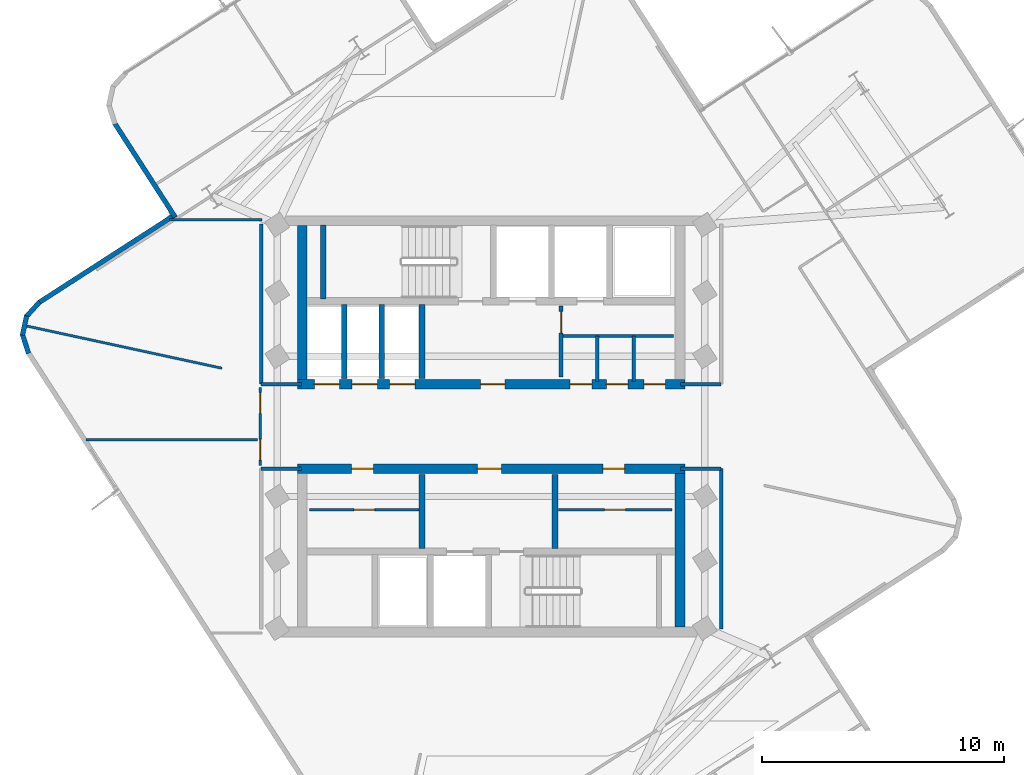
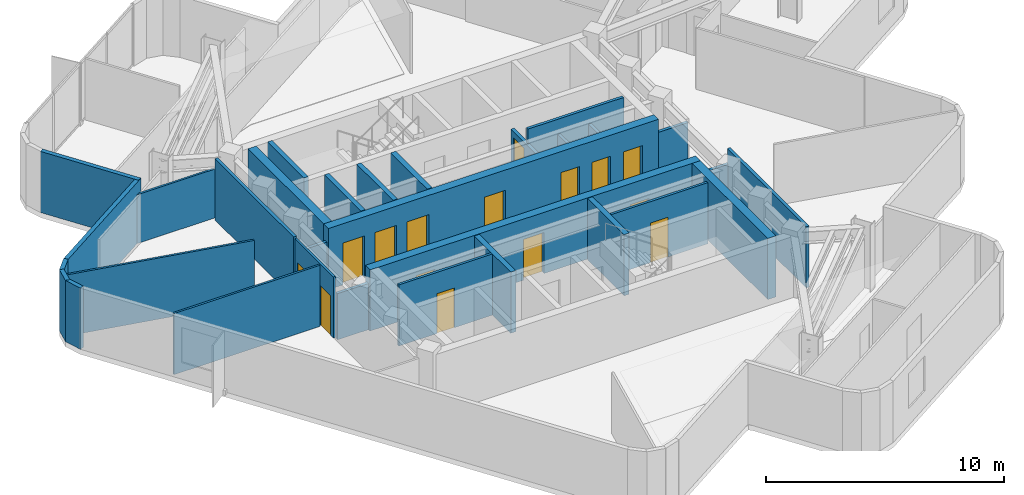
# One storey, part 4 of 8: 31 walls, 15 doors, 15 openings.
"""IFC4 building model written with IfcOpenShell, lengths in metres."""

import ifcopenshell
import ifcopenshell.guid

model = None  # the IFC model being written
_history = None  # IfcOwnerHistory: only IFC2X3 demands one
_inside = {}  # id of a spatial element -> (the spatial element, [elements in it])
_under = {}  # id of a project, library or spatial element -> (it, [spatial elements below it])
_declared = {}  # id of a project -> (the project, [libraries it declares])
_typed = {}  # id of a type object -> (the type object, [elements of that type])
_made_of = {}  # id of a material, layer set ... -> (it, [elements and type objects made of it])


def new_model(schema):
    """Start an empty IFC model of exactly this schema.

    Asked for "IFC4X3", IfcOpenShell would pick the latest addendum, in which some entities
    have other attributes; the version numbers below select the first issue.
    IFC2X3 requires an IfcOwnerHistory on every rooted entity: one is made here for all.
    """
    global model, _history
    if schema == "IFC4X3":
        model = ifcopenshell.file(schema_version=(4, 3, 0, 0))
    else:
        model = ifcopenshell.file(schema=schema)
    _inside.clear()
    _under.clear()
    _declared.clear()
    _typed.clear()
    _made_of.clear()
    _history = None
    if model.schema == "IFC2X3":
        org = make("IfcOrganization", Name="unknown")
        user = make(
            "IfcPersonAndOrganization",
            ThePerson=make("IfcPerson", FamilyName="unknown"),
            TheOrganization=org,
        )
        app = make(
            "IfcApplication",
            ApplicationDeveloper=org,
            Version="unknown",
            ApplicationFullName="unknown",
            ApplicationIdentifier="unknown",
        )
        _history = make(
            "IfcOwnerHistory",
            OwningUser=user,
            OwningApplication=app,
            ChangeAction="ADDED",
            CreationDate=0,
        )
    return model


def make(cls, **values):
    """One entity of the class cls with the attributes given. An attribute that is None is left unset."""
    return model.create_entity(
        cls, **{name: value for name, value in values.items() if value is not None}
    )


def rooted(cls, **values):
    """An entity with a GlobalId (a new one), such as an element, a storey or a relation."""
    return make(cls, GlobalId=ifcopenshell.guid.new(), OwnerHistory=_history, **values)


def si_unit(unit_type, name, prefix=None):
    """IfcSIUnit, for example si_unit("LENGTHUNIT", "METRE", prefix="MILLI")."""
    return make("IfcSIUnit", UnitType=unit_type, Prefix=prefix, Name=name)


def assignment(units):
    """IfcUnitAssignment: the units of a project."""
    return None if units is None else make("IfcUnitAssignment", Units=units)


def point(xyz):
    """IfcCartesianPoint."""
    return None if xyz is None else make("IfcCartesianPoint", Coordinates=xyz)


def direction(xyz):
    """IfcDirection."""
    return None if xyz is None else make("IfcDirection", DirectionRatios=xyz)


def frame(location, z_axis=None, x_axis=None):
    """IfcAxis2Placement3D, a coordinate frame: its origin and axes. An axis left out is left unset."""
    return make(
        "IfcAxis2Placement3D",
        Location=point(location),
        Axis=direction(z_axis),
        RefDirection=direction(x_axis),
    )


def frame_2d(location, x_axis=None):
    """IfcAxis2Placement2D, a coordinate frame in the plane: its origin and x axis."""
    return make(
        "IfcAxis2Placement2D", Location=point(location), RefDirection=direction(x_axis)
    )


def origin():
    """The frame at (0, 0, 0) with its axes left unset."""
    return frame((0.0, 0.0, 0.0))


def place(relative_to, where):
    """IfcLocalPlacement: puts the frame where relative to a parent placement (None: the world)."""
    return make(
        "IfcLocalPlacement", PlacementRelTo=relative_to, RelativePlacement=where
    )


def context(
    kind, dimensions, precision=None, world=None, true_north=None, identifier=None
):
    """IfcGeometricRepresentationContext, for example the 3D "Model" context."""
    return make(
        "IfcGeometricRepresentationContext",
        ContextIdentifier=identifier,
        ContextType=kind,
        CoordinateSpaceDimension=dimensions,
        Precision=precision,
        WorldCoordinateSystem=world,
        TrueNorth=true_north,
    )


def subcontext(parent, identifier, kind, view, scale=None):
    """IfcGeometricRepresentationSubContext, for example "Body" below "Model"."""
    return make(
        "IfcGeometricRepresentationSubContext",
        ContextIdentifier=identifier,
        ContextType=kind,
        ParentContext=parent,
        TargetScale=scale,
        TargetView=view,
    )


def project(units=None, contexts=None):
    """IfcProject with its units and contexts."""
    return rooted(
        "IfcProject",
        Name="project",
        RepresentationContexts=contexts,
        UnitsInContext=assignment(units),
    )


def spatial(cls, under=None, at=None, **own):
    """A site, building, storey or space (cls), placed at a placement, below another one or the project."""
    s = rooted(cls, ObjectPlacement=at, **own)
    if under is not None:
        _under.setdefault(under.id(), (under, []))[1].append(s)
    return s


def profile(cls, at=None, kind="AREA", **sizes):
    """A parametric profile (cls). Its sizes go by their IFC names, for example OverallWidth=200.0."""
    return make(cls, ProfileType=kind, Position=at, **sizes)


def rectangle(**sizes):
    """IfcRectangleProfileDef."""
    return profile("IfcRectangleProfileDef", **sizes)


def extrude(swept, where, along, depth):
    """IfcExtrudedAreaSolid: the profile swept, set in the frame where, extruded along a direction by depth."""
    return make(
        "IfcExtrudedAreaSolid",
        SweptArea=swept,
        Position=where,
        ExtrudedDirection=direction(along),
        Depth=depth,
    )


def shape(context_of_items, identifier, shape_type, items):
    """IfcShapeRepresentation: the items that make up one representation, for example the "Body"."""
    return make(
        "IfcShapeRepresentation",
        ContextOfItems=context_of_items,
        RepresentationIdentifier=identifier,
        RepresentationType=shape_type,
        Items=items,
    )


def material(Name=None, Category=None):
    """IfcMaterial."""
    return make("IfcMaterial", Name=Name, Category=Category)


def layer(
    of_material, thickness, ventilated=None, Name=None, Category=None, Priority=None
):
    """IfcMaterialLayer: one layer of a wall or slab, of a material (None: an air gap)."""
    return make(
        "IfcMaterialLayer",
        Material=of_material,
        LayerThickness=thickness,
        IsVentilated=ventilated,
        Name=Name,
        Category=Category,
        Priority=Priority,
    )


def layer_set(layers, Name=None):
    """IfcMaterialLayerSet."""
    return make("IfcMaterialLayerSet", MaterialLayers=layers, LayerSetName=Name)


def made_of(thing, what):
    """Note that an element or type object is made of a material, layer set ...; save() writes the relation."""
    if what is not None:
        _made_of.setdefault(what.id(), (what, []))[1].append(thing)
    return thing


def type_object(cls, material=None, **own):
    """A type object (cls), such as IfcWallType, which elements share."""
    return made_of(rooted(cls, **own), material)


def element(
    cls,
    number,
    at=None,
    inside=None,
    cuts=None,
    type_object=None,
    material=None,
    context=None,
    identifier="Body",
    shape_type=None,
    held_by="IfcProductDefinitionShape",
    body=None,
    shapes=None,
    **own,
):
    """One element of the class cls, such as IfcWall. Its Tag is "e" and its number.

    at: its placement. inside: the storey or other place that contains it. cuts: it is an
    opening in that element (IfcRelVoidsElement). A single representation is given by context,
    identifier, shape_type and body (its items); several are given by shapes. held_by: the class
    of the entity that holds the representations. save() writes the other relations.
    """
    e = rooted(cls, Tag="e%d" % number, ObjectPlacement=at, **own)
    if body is not None:
        shapes = [shape(context, identifier, shape_type, body)]
    if shapes is not None:
        e.Representation = make(held_by, Representations=shapes)
    if inside is not None:
        _inside.setdefault(inside.id(), (inside, []))[1].append(e)
    if cuts is not None:
        rooted(
            "IfcRelVoidsElement", RelatingBuildingElement=cuts, RelatedOpeningElement=e
        )
    if type_object is not None:
        _typed.setdefault(type_object.id(), (type_object, []))[1].append(e)
    return made_of(e, material)


def fill(opening, filler):
    """IfcRelFillsElement: the door or window that sits in an opening."""
    return rooted(
        "IfcRelFillsElement",
        RelatingOpeningElement=opening,
        RelatedBuildingElement=filler,
    )


def aggregate(whole, parts):
    """IfcRelAggregates: a whole, such as a stair, and the parts it consists of."""
    return rooted("IfcRelAggregates", RelatingObject=whole, RelatedObjects=parts)


def save(model, path):
    """Write the relations noted so far, then the file.

    IfcRelAggregates (storeys below a building ...), IfcRelContainedInSpatialStructure (elements
    in a storey), IfcRelDefinesByType, IfcRelAssociatesMaterial and IfcRelDeclares: one each for
    every whole, place, type object, material and project.
    """
    for whole, parts in _under.values():
        aggregate(whole, parts)
    for where, things in _inside.values():
        rooted(
            "IfcRelContainedInSpatialStructure",
            RelatedElements=things,
            RelatingStructure=where,
        )
    for kind, things in _typed.values():
        rooted("IfcRelDefinesByType", RelatedObjects=things, RelatingType=kind)
    for what, things in _made_of.values():
        rooted("IfcRelAssociatesMaterial", RelatedObjects=things, RelatingMaterial=what)
    for by, libraries in _declared.values():
        rooted("IfcRelDeclares", RelatingContext=by, RelatedDefinitions=libraries)
    model.write(path)


model = new_model("IFC4")

# Units and contexts
model_context = context("Model", 3, precision=1e-05, world=origin(), true_north=direction((0.0, 1.0)))
body_context = subcontext(model_context, "Body", "Model", "MODEL_VIEW")
ifc_project = project(units=[si_unit("LENGTHUNIT", "METRE"), si_unit("AREAUNIT", "SQUARE_METRE"), si_unit("VOLUMEUNIT", "CUBIC_METRE"), si_unit("PLANEANGLEUNIT", "RADIAN"), si_unit("MASSUNIT", "GRAM", prefix="KILO")], contexts=[model_context])

# Site, building, storey
site_placement = place(None, origin())
site = spatial("IfcSite", under=ifc_project, at=site_placement, CompositionType="ELEMENT")
building_placement = place(site_placement, origin())
building = spatial("IfcBuilding", under=site, at=building_placement, Name="Solmarez Civic Tower", CompositionType="ELEMENT")
storey_placement = place(building_placement, frame((0.0, 0.0, 218.8798828125)))
storey = spatial("IfcBuildingStorey", under=building, at=storey_placement, Name="L58", CompositionType="ELEMENT", Elevation=218.8798828125)

# Wall, openings, doors
ifc_material_1 = material(Name="Concrete C50/60", Category="concrete")
ifc_layer_1 = layer(ifc_material_1, 0.39990234375)
ifc_layer_set_1 = layer_set([ifc_layer_1], Name="Concrete C50/60")
wall_type_1 = type_object("IfcWallType", Name="WALL-CORE-400", PredefinedType="SHEAR", material=ifc_layer_set_1)
wall_1_placement = place(storey_placement, frame((8.02001953125, 1.75, 0.0), z_axis=(0.0, 0.0, 1.0), x_axis=(-1.0, 0.0, 0.0)))
wall_1 = element("IfcWall", 1, at=wall_1_placement, inside=storey, type_object=wall_type_1, Name="L58 Split-Core Structural Wall NCW-S-L58", PredefinedType="SHEAR", context=body_context, shape_type="SweptSolid", body=[
    extrude(rectangle(XDim=16.0400390625, YDim=0.39990234375, at=frame_2d((8.02001953125, 0.0))), origin(), (0.0, 0.0, 1.0), 3.14013671875),
])
opening_1_placement = place(wall_1_placement, frame((7.449951171875, 0.0, 0.0)))
opening_1 = element("IfcOpeningElement", 2, at=opening_1_placement, cuts=wall_1, Name="Opening D-04", PredefinedType="OPENING", context=body_context, shape_type="SweptSolid", body=[
    extrude(rectangle(XDim=1.0, YDim=2.10009765625, at=frame_2d((0.5, 1.050048828125))), frame((0.0, 0.2099609375, 0.0), z_axis=(0.0, -1.0, 0.0), x_axis=(1.0, 0.0, 0.0)), (0.0, 0.0, 1.0), 0.419921875),
])
opening_2_placement = place(wall_1_placement, frame((14.284912109375, 0.0, 0.0)))
opening_2 = element("IfcOpeningElement", 3, at=opening_2_placement, cuts=wall_1, Name="Opening LD-01", PredefinedType="OPENING", context=body_context, shape_type="SweptSolid", body=[
    extrude(rectangle(XDim=1.050048828125, YDim=2.14990234375, at=frame_2d((0.52490234375, 1.074951171875))), frame((0.0, 0.2099609375, 0.0), z_axis=(0.0, -1.0, 0.0), x_axis=(1.0, 0.0, 0.0)), (0.0, 0.0, 1.0), 0.419921875),
])
opening_3_placement = place(wall_1_placement, frame((12.72509765625, 0.0, 0.0)))
opening_3 = element("IfcOpeningElement", 4, at=opening_3_placement, cuts=wall_1, Name="Opening LD-01", PredefinedType="OPENING", context=body_context, shape_type="SweptSolid", body=[
    extrude(rectangle(XDim=1.050048828125, YDim=2.14990234375, at=frame_2d((0.52490234375, 1.074951171875))), frame((0.0, 0.2099609375, 0.0), z_axis=(0.0, -1.0, 0.0), x_axis=(1.0, 0.0, 0.0)), (0.0, 0.0, 1.0), 0.419921875),
])
opening_4_placement = place(wall_1_placement, frame((11.1650390625, 0.0, 0.0)))
opening_4 = element("IfcOpeningElement", 5, at=opening_4_placement, cuts=wall_1, Name="Opening LD-01", PredefinedType="OPENING", context=body_context, shape_type="SweptSolid", body=[
    extrude(rectangle(XDim=1.050048828125, YDim=2.14990234375, at=frame_2d((0.52490234375, 1.074951171875))), frame((0.0, 0.2099609375, 0.0), z_axis=(0.0, -1.0, 0.0), x_axis=(1.0, 0.0, 0.0)), (0.0, 0.0, 1.0), 0.419921875),
])
opening_5_placement = place(wall_1_placement, frame((3.85009765625, 0.0, 0.0)))
opening_5 = element("IfcOpeningElement", 6, at=opening_5_placement, cuts=wall_1, Name="Opening D-09", PredefinedType="OPENING", context=body_context, shape_type="SweptSolid", body=[
    extrude(rectangle(XDim=0.89990234375, YDim=2.06005859375, at=frame_2d((0.449951171875, 1.030029296875))), frame((0.0, 0.2099609375, 0.0), z_axis=(0.0, -1.0, 0.0), x_axis=(1.0, 0.0, 0.0)), (0.0, 0.0, 1.0), 0.419921875),
])
opening_6_placement = place(wall_1_placement, frame((2.35009765625, 0.0, 0.0)))
opening_6 = element("IfcOpeningElement", 7, at=opening_6_placement, cuts=wall_1, Name="Opening D-09", PredefinedType="OPENING", context=body_context, shape_type="SweptSolid", body=[
    extrude(rectangle(XDim=0.89990234375, YDim=2.06005859375, at=frame_2d((0.449951171875, 1.030029296875))), frame((0.0, 0.2099609375, 0.0), z_axis=(0.0, -1.0, 0.0), x_axis=(1.0, 0.0, 0.0)), (0.0, 0.0, 1.0), 0.419921875),
])
opening_7_placement = place(wall_1_placement, frame((0.800048828125, 0.0, 0.0)))
opening_7 = element("IfcOpeningElement", 8, at=opening_7_placement, cuts=wall_1, Name="Opening D-09", PredefinedType="OPENING", context=body_context, shape_type="SweptSolid", body=[
    extrude(rectangle(XDim=0.89990234375, YDim=2.06005859375, at=frame_2d((0.449951171875, 1.030029296875))), frame((0.0, 0.2099609375, 0.0), z_axis=(0.0, -1.0, 0.0), x_axis=(1.0, 0.0, 0.0)), (0.0, 0.0, 1.0), 0.419921875),
])
ifc_material_2 = material(Name="Steel-Faced Acoustic Fire Door", Category="steel")
door_type_1 = type_object("IfcDoorType", Name="DOOR-FD60-1000", OperationType="NOTDEFINED", PredefinedType="DOOR", material=ifc_material_2)
door_1_placement = place(opening_1_placement, origin())
door_1 = element("IfcDoor", 9, at=door_1_placement, inside=storey, type_object=door_type_1, Name="L58 North Firefighting Lobby Door", OperationType="SINGLE_SWING_LEFT", OverallHeight=2.10009765625, OverallWidth=1.0, PredefinedType="DOOR", context=body_context, shape_type="SweptSolid", body=[
    extrude(rectangle(XDim=1.0, YDim=2.10009765625, at=frame_2d((0.5, 1.050048828125))), frame((0.0, 0.02490234375, 0.0), z_axis=(0.0, -1.0, 0.0), x_axis=(1.0, 0.0, 0.0)), (0.0, 0.0, 1.0), 0.050048828125),
])
fill(opening_1, door_1)
ifc_material_3 = material(Name="Fire-Rated Service Core Door", Category="wood")
door_type_2 = type_object("IfcDoorType", Name="DOOR-FD60-900", OperationType="NOTDEFINED", PredefinedType="DOOR", material=ifc_material_3)
door_2_placement = place(opening_5_placement, origin())
door_2 = element("IfcDoor", 10, at=door_2_placement, inside=storey, type_object=door_type_2, Name="L58 Core WC Door", OperationType="SINGLE_SWING_RIGHT", OverallHeight=2.06005859375, OverallWidth=0.89990234375, PredefinedType="DOOR", context=body_context, shape_type="SweptSolid", body=[
    extrude(rectangle(XDim=0.89990234375, YDim=2.06005859375, at=frame_2d((0.449951171875, 1.030029296875))), frame((0.0, 0.02490234375, 0.0), z_axis=(0.0, -1.0, 0.0), x_axis=(1.0, 0.0, 0.0)), (0.0, 0.0, 1.0), 0.050048828125),
])
fill(opening_5, door_2)
door_3_placement = place(opening_6_placement, origin())
door_3 = element("IfcDoor", 11, at=door_3_placement, inside=storey, type_object=door_type_2, Name="L58 Core CL Door", OperationType="SINGLE_SWING_LEFT", OverallHeight=2.06005859375, OverallWidth=0.89990234375, PredefinedType="DOOR", context=body_context, shape_type="SweptSolid", body=[
    extrude(rectangle(XDim=0.89990234375, YDim=2.06005859375, at=frame_2d((0.449951171875, 1.030029296875))), frame((0.0, 0.02490234375, 0.0), z_axis=(0.0, -1.0, 0.0), x_axis=(1.0, 0.0, 0.0)), (0.0, 0.0, 1.0), 0.050048828125),
])
fill(opening_6, door_3)
door_4_placement = place(opening_7_placement, origin())
door_4 = element("IfcDoor", 12, at=door_4_placement, inside=storey, type_object=door_type_2, Name="L58 Core IT Door", OperationType="SINGLE_SWING_LEFT", OverallHeight=2.06005859375, OverallWidth=0.89990234375, PredefinedType="DOOR", context=body_context, shape_type="SweptSolid", body=[
    extrude(rectangle(XDim=0.89990234375, YDim=2.06005859375, at=frame_2d((0.449951171875, 1.030029296875))), frame((0.0, 0.02490234375, 0.0), z_axis=(0.0, -1.0, 0.0), x_axis=(1.0, 0.0, 0.0)), (0.0, 0.0, 1.0), 0.050048828125),
])
fill(opening_7, door_4)
ifc_material_4 = material(Name="Bronze Passenger Lift Landing Sliding Door", Category="aluminium")
door_type_3 = type_object("IfcDoorType", Name="DOOR-LD-PAX-1050", OperationType="DOUBLE_DOOR_SLIDING", PredefinedType="DOOR", material=ifc_material_4)
door_5_placement = place(opening_2_placement, origin())
door_5 = element("IfcDoor", 13, at=door_5_placement, inside=storey, type_object=door_type_3, Name="L58 High-Rise Lift Landing Door PL-H1", OperationType="DOUBLE_DOOR_SLIDING", OverallHeight=2.14990234375, OverallWidth=1.050048828125, PredefinedType="DOOR", context=body_context, shape_type="SweptSolid", body=[
    extrude(rectangle(XDim=1.050048828125, YDim=2.14990234375, at=frame_2d((0.52490234375, 1.074951171875))), frame((0.0, 0.02490234375, 0.0), z_axis=(0.0, -1.0, 0.0), x_axis=(1.0, 0.0, 0.0)), (0.0, 0.0, 1.0), 0.050048828125),
])
fill(opening_2, door_5)
door_6_placement = place(opening_3_placement, origin())
door_6 = element("IfcDoor", 14, at=door_6_placement, inside=storey, type_object=door_type_3, Name="L58 High-Rise Lift Landing Door PL-H2", OperationType="DOUBLE_DOOR_SLIDING", OverallHeight=2.14990234375, OverallWidth=1.050048828125, PredefinedType="DOOR", context=body_context, shape_type="SweptSolid", body=[
    extrude(rectangle(XDim=1.050048828125, YDim=2.14990234375, at=frame_2d((0.52490234375, 1.074951171875))), frame((0.0, 0.02490234375, 0.0), z_axis=(0.0, -1.0, 0.0), x_axis=(1.0, 0.0, 0.0)), (0.0, 0.0, 1.0), 0.050048828125),
])
fill(opening_3, door_6)
door_7_placement = place(opening_4_placement, origin())
door_7 = element("IfcDoor", 15, at=door_7_placement, inside=storey, type_object=door_type_3, Name="L58 High-Rise Lift Landing Door PL-H3", OperationType="DOUBLE_DOOR_SLIDING", OverallHeight=2.14990234375, OverallWidth=1.050048828125, PredefinedType="DOOR", context=body_context, shape_type="SweptSolid", body=[
    extrude(rectangle(XDim=1.050048828125, YDim=2.14990234375, at=frame_2d((0.52490234375, 1.074951171875))), frame((0.0, 0.02490234375, 0.0), z_axis=(0.0, -1.0, 0.0), x_axis=(1.0, 0.0, 0.0)), (0.0, 0.0, 1.0), 0.050048828125),
])
fill(opening_4, door_7)

# Wall
wall_2_placement = place(storey_placement, frame((-7.820068359375, 1.949951171875, 0.0), z_axis=(0.0, 0.0, 1.0), x_axis=(0.0, 1.0, 0.0)))
element("IfcWall", 16, at=wall_2_placement, inside=storey, type_object=wall_type_1, Name="L58 Split-Core Structural Wall NCW-W-L58", PredefinedType="SHEAR", context=body_context, shape_type="SweptSolid", body=[
    extrude(rectangle(XDim=6.360107421875, YDim=0.39990234375, at=frame_2d((3.18017578125, 0.0))), origin(), (0.0, 0.0, 1.0), 3.14013671875),
])

# Wall, openings, doors
wall_3_placement = place(storey_placement, frame((-8.02001953125, -1.75, 0.0), z_axis=(0.0, 0.0, 1.0), x_axis=(1.0, 0.0, 0.0)))
wall_3 = element("IfcWall", 17, at=wall_3_placement, inside=storey, type_object=wall_type_1, Name="L58 Split-Core Structural Wall SCW-N-L58", PredefinedType="SHEAR", context=body_context, shape_type="SweptSolid", body=[
    extrude(rectangle(XDim=16.0400390625, YDim=0.39990234375, at=frame_2d((8.02001953125, 0.0))), origin(), (0.0, 0.0, 1.0), 3.14013671875),
])
opening_8_placement = place(wall_3_placement, frame((7.449951171875, 0.0, 0.0)))
opening_8 = element("IfcOpeningElement", 18, at=opening_8_placement, cuts=wall_3, Name="Opening D-04", PredefinedType="OPENING", context=body_context, shape_type="SweptSolid", body=[
    extrude(rectangle(XDim=1.0, YDim=2.10009765625, at=frame_2d((0.5, 1.050048828125))), frame((0.0, 0.2099609375, 0.0), z_axis=(0.0, -1.0, 0.0), x_axis=(1.0, 0.0, 0.0)), (0.0, 0.0, 1.0), 0.419921875),
])
opening_9_placement = place(wall_3_placement, frame((12.64990234375, 0.0, 0.0)))
opening_9 = element("IfcOpeningElement", 19, at=opening_9_placement, cuts=wall_3, Name="Opening D-09", PredefinedType="OPENING", context=body_context, shape_type="SweptSolid", body=[
    extrude(rectangle(XDim=0.89990234375, YDim=2.06005859375, at=frame_2d((0.449951171875, 1.030029296875))), frame((0.0, 0.2099609375, 0.0), z_axis=(0.0, -1.0, 0.0), x_axis=(1.0, 0.0, 0.0)), (0.0, 0.0, 1.0), 0.419921875),
])
opening_10_placement = place(wall_3_placement, frame((2.25, 0.0, 0.0)))
opening_10 = element("IfcOpeningElement", 20, at=opening_10_placement, cuts=wall_3, Name="Opening D-09", PredefinedType="OPENING", context=body_context, shape_type="SweptSolid", body=[
    extrude(rectangle(XDim=0.89990234375, YDim=2.06005859375, at=frame_2d((0.449951171875, 1.030029296875))), frame((0.0, 0.2099609375, 0.0), z_axis=(0.0, -1.0, 0.0), x_axis=(1.0, 0.0, 0.0)), (0.0, 0.0, 1.0), 0.419921875),
])
door_8_placement = place(opening_8_placement, origin())
door_8 = element("IfcDoor", 21, at=door_8_placement, inside=storey, type_object=door_type_1, Name="L58 South Firefighting Lobby Door", OperationType="SINGLE_SWING_RIGHT", OverallHeight=2.10009765625, OverallWidth=1.0, PredefinedType="DOOR", context=body_context, shape_type="SweptSolid", body=[
    extrude(rectangle(XDim=1.0, YDim=2.10009765625, at=frame_2d((0.5, 1.050048828125))), frame((0.0, 0.02490234375, 0.0), z_axis=(0.0, -1.0, 0.0), x_axis=(1.0, 0.0, 0.0)), (0.0, 0.0, 1.0), 0.050048828125),
])
fill(opening_8, door_8)
door_9_placement = place(opening_9_placement, origin())
door_9 = element("IfcDoor", 22, at=door_9_placement, inside=storey, type_object=door_type_2, Name="L58 Freed Hoistway Mailroom Door", OperationType="SINGLE_SWING_LEFT", OverallHeight=2.06005859375, OverallWidth=0.89990234375, PredefinedType="DOOR", context=body_context, shape_type="SweptSolid", body=[
    extrude(rectangle(XDim=0.89990234375, YDim=2.06005859375, at=frame_2d((0.449951171875, 1.030029296875))), frame((0.0, 0.02490234375, 0.0), z_axis=(0.0, -1.0, 0.0), x_axis=(1.0, 0.0, 0.0)), (0.0, 0.0, 1.0), 0.050048828125),
])
fill(opening_9, door_9)
door_10_placement = place(opening_10_placement, origin())
door_10 = element("IfcDoor", 23, at=door_10_placement, inside=storey, type_object=door_type_2, Name="L58 Staff Kitchenette Pantry Door", OperationType="SINGLE_SWING_RIGHT", OverallHeight=2.06005859375, OverallWidth=0.89990234375, PredefinedType="DOOR", context=body_context, shape_type="SweptSolid", body=[
    extrude(rectangle(XDim=0.89990234375, YDim=2.06005859375, at=frame_2d((0.449951171875, 1.030029296875))), frame((0.0, 0.02490234375, 0.0), z_axis=(0.0, -1.0, 0.0), x_axis=(1.0, 0.0, 0.0)), (0.0, 0.0, 1.0), 0.050048828125),
])
fill(opening_10, door_10)

# Walls
wall_4_placement = place(storey_placement, frame((7.820068359375, -1.949951171875, 0.0), z_axis=(0.0, 0.0, 1.0), x_axis=(0.0, -1.0, 0.0)))
element("IfcWall", 24, at=wall_4_placement, inside=storey, type_object=wall_type_1, Name="L58 Split-Core Structural Wall SCW-E-L58", PredefinedType="SHEAR", context=body_context, shape_type="SweptSolid", body=[
    extrude(rectangle(XDim=6.360107421875, YDim=0.39990234375, at=frame_2d((3.18017578125, 0.0))), origin(), (0.0, 0.0, 1.0), 3.14013671875),
])
ifc_material_5 = material(Name="Precast concrete C40/50", Category="concrete")
ifc_layer_2 = layer(ifc_material_5, 0.199951171875)
ifc_layer_set_2 = layer_set([ifc_layer_2], Name="Precast concrete C40/50")
wall_type_2 = type_object("IfcWallType", Name="WALL-EXT-200", PredefinedType="SOLIDWALL", material=ifc_layer_set_2)
wall_5_placement = place(storey_placement, frame((-19.14599609375, 3.02294921875, 0.0), z_axis=(0.0, 0.0, 1.0), x_axis=(-0.306602907463, 0.951837516142, 0.0)))
element("IfcWall", 25, at=wall_5_placement, inside=storey, type_object=wall_type_2, Name="L58 Exterior Precast Wall 7", PredefinedType="SOLIDWALL", context=body_context, shape_type="SweptSolid", body=[
    extrude(rectangle(XDim=0.83837890625, YDim=0.199951171875, at=frame_2d((0.419189453125, 0.0))), origin(), (0.0, 0.0, 1.0), 3.14013671875),
])
wall_6_placement = place(storey_placement, frame((-19.39990234375, 3.77294921875, 0.0), z_axis=(0.0, 0.0, 1.0), x_axis=(0.211087829535, 0.977467098281, 0.0)))
element("IfcWall", 26, at=wall_6_placement, inside=storey, type_object=wall_type_2, Name="L58 Exterior Precast Wall 8", PredefinedType="SOLIDWALL", context=body_context, shape_type="SweptSolid", body=[
    extrude(rectangle(XDim=0.823486328125, YDim=0.199951171875, at=frame_2d((0.41162109375, 0.0))), origin(), (0.0, 0.0, 1.0), 3.14013671875),
])
wall_7_placement = place(storey_placement, frame((-19.248046875, 4.534912109375, 0.0), z_axis=(0.0, 0.0, 1.0), x_axis=(0.671019988703, 0.741439258983, 0.0)))
element("IfcWall", 27, at=wall_7_placement, inside=storey, type_object=wall_type_2, Name="L58 Exterior Precast Wall 9", PredefinedType="SOLIDWALL", context=body_context, shape_type="SweptSolid", body=[
    extrude(rectangle(XDim=0.839111328125, YDim=0.199951171875, at=frame_2d((0.41943359375, 0.0))), origin(), (0.0, 0.0, 1.0), 3.14013671875),
])
wall_8_placement = place(storey_placement, frame((-18.722900390625, 5.1240234375, 0.0), z_axis=(0.0, 0.0, 1.0), x_axis=(0.840584959151, 0.541679726821, 0.0)))
element("IfcWall", 28, at=wall_8_placement, inside=storey, type_object=wall_type_2, Name="L58 Exterior Precast Wall 10", PredefinedType="SOLIDWALL", context=body_context, shape_type="SweptSolid", body=[
    extrude(rectangle(XDim=6.74169921875, YDim=0.199951171875, at=frame_2d((3.370849609375, 0.0))), origin(), (0.0, 0.0, 1.0), 3.14013671875),
])
wall_9_placement = place(storey_placement, frame((-13.080078125, 8.666015625, 0.0), z_axis=(0.0, 0.0, 1.0), x_axis=(-0.541732711374, 0.840550813114, 0.0)))
element("IfcWall", 29, at=wall_9_placement, inside=storey, type_object=wall_type_2, Name="L58 Exterior Precast Wall 13", PredefinedType="SOLIDWALL", context=body_context, shape_type="SweptSolid", body=[
    extrude(rectangle(XDim=4.642333984375, YDim=0.199951171875, at=frame_2d((2.3212890625, 0.0))), origin(), (0.0, 0.0, 1.0), 3.14013671875),
])
ifc_material_6 = material(Name="Gypsum Board Acoustic Steel-Stud Partition", Category="steel")
ifc_layer_3 = layer(ifc_material_6, 0.14990234375)
ifc_layer_set_3 = layer_set([ifc_layer_3], Name="Gypsum Board Acoustic Steel-Stud Partition")
wall_type_3 = type_object("IfcWallType", Name="WALL-INT-FIRE-150", PredefinedType="PARTITIONING", material=ifc_layer_set_3)
wall_10_placement = place(storey_placement, frame((-9.52001953125, 1.75, 0.0), z_axis=(0.0, 0.0, 1.0), x_axis=(0.0, 1.0, 0.0)))
element("IfcWall", 30, at=wall_10_placement, inside=storey, type_object=wall_type_3, Name="L58 Interior Partition CHW-L58-WN1", PredefinedType="PARTITIONING", context=body_context, shape_type="SweptSolid", body=[
    extrude(rectangle(XDim=6.6298828125, YDim=0.14990234375, at=frame_2d((3.31494140625, 0.0))), origin(), (0.0, 0.0, 1.0), 3.14013671875),
])
for number, where, z_axis, x_axis, name in (
    (31, (-7.85009765625, 1.75, 0.0), (0.0, 0.0, 1.0), (-1.0, 0.0, 0.0), "L58 Interior Partition CHW-L58-WN3"),
    (32, (-7.85009765625, -1.75, 0.0), (0.0, 0.0, 1.0), (-1.0, 0.0, 0.0), "L58 Interior Partition CHW-L58-WS3"),
    (33, (7.85009765625, 1.75, 0.0), (0.0, 0.0, 1.0), (1.0, 0.0, 0.0), "L58 Interior Partition CHW-L58-EN3"),
):
    element("IfcWall", number, at=place(storey_placement, frame(where, z_axis=z_axis, x_axis=x_axis)), inside=storey, type_object=wall_type_3, Name=name, PredefinedType="PARTITIONING", context=body_context, shape_type="SweptSolid", body=[
        extrude(rectangle(XDim=1.669921875, YDim=0.14990234375, at=frame_2d((0.8349609375, 0.0))), origin(), (0.0, 0.0, 1.0), 2.3701171875),
    ])
wall_11_placement = place(storey_placement, frame((9.52001953125, -8.3798828125, 0.0), z_axis=(0.0, 0.0, 1.0), x_axis=(0.0, 1.0, 0.0)))
element("IfcWall", 34, at=wall_11_placement, inside=storey, type_object=wall_type_3, Name="L58 Interior Partition CHW-L58-ES1", PredefinedType="PARTITIONING", context=body_context, shape_type="SweptSolid", body=[
    extrude(rectangle(XDim=6.6298828125, YDim=0.14990234375, at=frame_2d((3.31494140625, 0.0))), origin(), (0.0, 0.0, 1.0), 3.14013671875),
])
wall_12_placement = place(storey_placement, frame((7.85009765625, -1.75, 0.0), z_axis=(0.0, 0.0, 1.0), x_axis=(1.0, 0.0, 0.0)))
element("IfcWall", 35, at=wall_12_placement, inside=storey, type_object=wall_type_3, Name="L58 Interior Partition CHW-L58-ES3", PredefinedType="PARTITIONING", context=body_context, shape_type="SweptSolid", body=[
    extrude(rectangle(XDim=1.669921875, YDim=0.14990234375, at=frame_2d((0.8349609375, 0.0))), origin(), (0.0, 0.0, 1.0), 2.3701171875),
])
ifc_layer_4 = layer(ifc_material_6, 0.10009765625)
ifc_layer_set_4 = layer_set([ifc_layer_4], Name="Gypsum Board Acoustic Steel-Stud Partition")
wall_type_4 = type_object("IfcWallType", Name="WALL-INT-PART-100", PredefinedType="PARTITIONING", material=ifc_layer_set_4)
wall_13_placement = place(storey_placement, frame((-16.759033203125, -0.550048828125, 0.0), z_axis=(0.0, 0.0, 1.0), x_axis=(1.0, 0.0, 0.0)))
element("IfcWall", 36, at=wall_13_placement, inside=storey, type_object=wall_type_4, Name="L58 Interior Partition PT-L58-WH-DIV", PredefinedType="PARTITIONING", context=body_context, shape_type="SweptSolid", body=[
    extrude(rectangle(XDim=7.09912109375, YDim=0.10009765625, at=frame_2d((3.549560546875, 0.0))), origin(), (0.0, 0.0, 1.0), 3.14013671875),
])
wall_14_placement = place(storey_placement, frame((-13.305908203125, 8.550048828125, 0.0), z_axis=(0.0, 0.0, 1.0), x_axis=(1.0, 0.0, 0.0)))
element("IfcWall", 37, at=wall_14_placement, inside=storey, type_object=wall_type_4, Name="L58 Interior Partition PT-L58-WH-BN", PredefinedType="PARTITIONING", context=body_context, shape_type="SweptSolid", body=[
    extrude(rectangle(XDim=3.825927734375, YDim=0.10009765625, at=frame_2d((1.9130859375, 0.0))), origin(), (0.0, 0.0, 1.0), 2.510009765625),
])

# Wall, openings, doors
wall_15_placement = place(storey_placement, frame((-9.56005859375, -1.6201171875, 0.0), z_axis=(0.0, 0.0, 1.0), x_axis=(0.0, 1.0, 0.0)))
wall_15 = element("IfcWall", 38, at=wall_15_placement, inside=storey, type_object=wall_type_4, Name="L58 Interior Partition PT-L58-WH-ENT", PredefinedType="PARTITIONING", context=body_context, shape_type="SweptSolid", body=[
    extrude(rectangle(XDim=3.240234375, YDim=0.10009765625, at=frame_2d((1.6201171875, 0.0))), origin(), (0.0, 0.0, 1.0), 3.14013671875),
])
opening_11_placement = place(wall_15_placement, frame((0.219970703125, 0.0, 0.0)))
opening_11 = element("IfcOpeningElement", 39, at=opening_11_placement, cuts=wall_15, Name="Opening D-14", PredefinedType="OPENING", context=body_context, shape_type="SweptSolid", body=[
    extrude(rectangle(XDim=0.860107421875, YDim=2.0400390625, at=frame_2d((0.43017578125, 1.02001953125))), frame((0.0, 0.06005859375, 0.0), z_axis=(0.0, -1.0, 0.0), x_axis=(1.0, 0.0, 0.0)), (0.0, 0.0, 1.0), 0.1201171875),
])
opening_12_placement = place(wall_15_placement, frame((2.159912109375, 0.0, 0.0)))
opening_12 = element("IfcOpeningElement", 40, at=opening_12_placement, cuts=wall_15, Name="Opening D-14", PredefinedType="OPENING", context=body_context, shape_type="SweptSolid", body=[
    extrude(rectangle(XDim=0.860107421875, YDim=2.0400390625, at=frame_2d((0.43017578125, 1.02001953125))), frame((0.0, 0.06005859375, 0.0), z_axis=(0.0, -1.0, 0.0), x_axis=(1.0, 0.0, 0.0)), (0.0, 0.0, 1.0), 0.1201171875),
])
ifc_material_7 = material(Name="Timber Storage and Pantry Door", Category="wood")
door_type_4 = type_object("IfcDoorType", Name="DOOR-INT-850", OperationType="NOTDEFINED", PredefinedType="DOOR", material=ifc_material_7)
door_11_placement = place(opening_11_placement, origin())
door_11 = element("IfcDoor", 41, at=door_11_placement, inside=storey, type_object=door_type_4, Name="L58 Public Reception Room West Second Door", OperationType="SINGLE_SWING_RIGHT", OverallHeight=2.0400390625, OverallWidth=0.860107421875, PredefinedType="DOOR", context=body_context, shape_type="SweptSolid", body=[
    extrude(rectangle(XDim=0.860107421875, YDim=2.0400390625, at=frame_2d((0.43017578125, 1.02001953125))), frame((0.0, 0.02490234375, 0.0), z_axis=(0.0, -1.0, 0.0), x_axis=(1.0, 0.0, 0.0)), (0.0, 0.0, 1.0), 0.050048828125),
])
fill(opening_11, door_11)
door_12_placement = place(opening_12_placement, origin())
door_12 = element("IfcDoor", 42, at=door_12_placement, inside=storey, type_object=door_type_4, Name="L58 Delegates Sitting Lounge West First Door", OperationType="SINGLE_SWING_LEFT", OverallHeight=2.0400390625, OverallWidth=0.860107421875, PredefinedType="DOOR", context=body_context, shape_type="SweptSolid", body=[
    extrude(rectangle(XDim=0.860107421875, YDim=2.0400390625, at=frame_2d((0.43017578125, 1.02001953125))), frame((0.0, 0.02490234375, 0.0), z_axis=(0.0, -1.0, 0.0), x_axis=(1.0, 0.0, 0.0)), (0.0, 0.0, 1.0), 0.050048828125),
])
fill(opening_12, door_12)

# Wall
wall_16_placement = place(storey_placement, frame((-11.14306640625, 2.408935546875, 0.0), z_axis=(0.0, 0.0, 1.0), x_axis=(-0.977406112831, 0.211370032411, 0.0)))
element("IfcWall", 43, at=wall_16_placement, inside=storey, type_object=wall_type_4, Name="L58 Interior Partition PT-L58-QDIV-2", PredefinedType="PARTITIONING", context=body_context, shape_type="SweptSolid", body=[
    extrude(rectangle(XDim=8.29443359375, YDim=0.10009765625, at=frame_2d((4.147216796875, 0.0))), origin(), (0.0, 0.0, 1.0), 3.14013671875),
])

# Wall, opening, door
ifc_layer_5 = layer(ifc_material_6, 0.1201171875)
ifc_layer_set_5 = layer_set([ifc_layer_5], Name="Gypsum Board Acoustic Steel-Stud Partition")
wall_type_5 = type_object("IfcWallType", Name="WALL-INT-PART-120", PredefinedType="PARTITIONING", material=ifc_layer_set_5)
wall_17_placement = place(storey_placement, frame((2.800048828125, -3.449951171875, 0.0), z_axis=(0.0, 0.0, 1.0), x_axis=(1.0, 0.0, 0.0)))
wall_17 = element("IfcWall", 44, at=wall_17_placement, inside=storey, type_object=wall_type_5, Name="L58 Interior Partition PT-FPLL-L58", PredefinedType="PARTITIONING", context=body_context, shape_type="SweptSolid", body=[
    extrude(rectangle(XDim=4.679931640625, YDim=0.1201171875, at=frame_2d((2.33984375, 0.0))), origin(), (0.0, 0.0, 1.0), 3.14013671875),
])
opening_13_placement = place(wall_17_placement, frame((1.89990234375, 0.0, 0.0)))
opening_13 = element("IfcOpeningElement", 45, at=opening_13_placement, cuts=wall_17, Name="Opening D-14", PredefinedType="OPENING", context=body_context, shape_type="SweptSolid", body=[
    extrude(rectangle(XDim=0.860107421875, YDim=2.0400390625, at=frame_2d((0.43017578125, 1.02001953125))), frame((0.0, 0.070068359375, 0.0), z_axis=(0.0, -1.0, 0.0), x_axis=(1.0, 0.0, 0.0)), (0.0, 0.0, 1.0), 0.14013671875),
])
door_13_placement = place(opening_13_placement, origin())
door_13 = element("IfcDoor", 46, at=door_13_placement, inside=storey, type_object=door_type_4, Name="L58 Records Filing Room Door", OperationType="SINGLE_SWING_LEFT", OverallHeight=2.0400390625, OverallWidth=0.860107421875, PredefinedType="DOOR", context=body_context, shape_type="SweptSolid", body=[
    extrude(rectangle(XDim=0.860107421875, YDim=2.0400390625, at=frame_2d((0.43017578125, 1.02001953125))), frame((0.0, 0.02490234375, 0.0), z_axis=(0.0, -1.0, 0.0), x_axis=(1.0, 0.0, 0.0)), (0.0, 0.0, 1.0), 0.050048828125),
])
fill(opening_13, door_13)

wall_18_placement = place(storey_placement, frame((-7.52001953125, -3.449951171875, 0.0), z_axis=(0.0, 0.0, 1.0), x_axis=(1.0, 0.0, 0.0)))
wall_18 = element("IfcWall", 47, at=wall_18_placement, inside=storey, type_object=wall_type_5, Name="L58 Interior Partition PT-FPLM-L58", PredefinedType="PARTITIONING", context=body_context, shape_type="SweptSolid", body=[
    extrude(rectangle(XDim=4.5400390625, YDim=0.1201171875, at=frame_2d((2.27001953125, 0.0))), origin(), (0.0, 0.0, 1.0), 3.14013671875),
])
opening_14_placement = place(wall_18_placement, frame((1.840087890625, 0.0, 0.0)))
opening_14 = element("IfcOpeningElement", 48, at=opening_14_placement, cuts=wall_18, Name="Opening D-14", PredefinedType="OPENING", context=body_context, shape_type="SweptSolid", body=[
    extrude(rectangle(XDim=0.860107421875, YDim=2.0400390625, at=frame_2d((0.43017578125, 1.02001953125))), frame((0.0, 0.070068359375, 0.0), z_axis=(0.0, -1.0, 0.0), x_axis=(1.0, 0.0, 0.0)), (0.0, 0.0, 1.0), 0.14013671875),
])
door_14_placement = place(opening_14_placement, origin())
door_14 = element("IfcDoor", 49, at=door_14_placement, inside=storey, type_object=door_type_4, Name="L58 Directorate Copy Office Door", OperationType="SINGLE_SWING_RIGHT", OverallHeight=2.0400390625, OverallWidth=0.860107421875, PredefinedType="DOOR", context=body_context, shape_type="SweptSolid", body=[
    extrude(rectangle(XDim=0.860107421875, YDim=2.0400390625, at=frame_2d((0.43017578125, 1.02001953125))), frame((0.0, 0.02490234375, 0.0), z_axis=(0.0, -1.0, 0.0), x_axis=(1.0, 0.0, 0.0)), (0.0, 0.0, 1.0), 0.050048828125),
])
fill(opening_14, door_14)

ifc_layer_6 = layer(ifc_material_6, 0.159912109375)
ifc_layer_set_6 = layer_set([ifc_layer_6], Name="Gypsum Board Acoustic Steel-Stud Partition")
wall_type_6 = type_object("IfcWallType", Name="WALL-INT-SHAFT-160", PredefinedType="PARTITIONING", material=ifc_layer_set_6)
wall_19_placement = place(storey_placement, frame((2.89990234375, 2.0400390625, 0.0), z_axis=(0.0, 0.0, 1.0), x_axis=(0.0, 1.0, 0.0)))
wall_19 = element("IfcWall", 50, at=wall_19_placement, inside=storey, type_object=wall_type_6, Name="L58 Interior Partition SHW-NL2-L58", PredefinedType="PARTITIONING", context=body_context, shape_type="SweptSolid", body=[
    extrude(rectangle(XDim=2.93994140625, YDim=0.159912109375, at=frame_2d((1.469970703125, 0.0))), origin(), (0.0, 0.0, 1.0), 2.3701171875),
])
opening_15_placement = place(wall_19_placement, frame((1.820068359375, 0.0, 0.0)))
opening_15 = element("IfcOpeningElement", 51, at=opening_15_placement, cuts=wall_19, Name="Opening D-09", PredefinedType="OPENING", context=body_context, shape_type="SweptSolid", body=[
    extrude(rectangle(XDim=0.89990234375, YDim=2.06005859375, at=frame_2d((0.449951171875, 1.030029296875))), frame((0.0, 0.08984375, 0.0), z_axis=(0.0, -1.0, 0.0), x_axis=(1.0, 0.0, 0.0)), (0.0, 0.0, 1.0), 0.179931640625),
])
door_15_placement = place(opening_15_placement, origin())
door_15 = element("IfcDoor", 52, at=door_15_placement, inside=storey, type_object=door_type_2, Name="L58 Service Lift Lobby Door", OperationType="SINGLE_SWING_LEFT", OverallHeight=2.06005859375, OverallWidth=0.89990234375, PredefinedType="DOOR", context=body_context, shape_type="SweptSolid", body=[
    extrude(rectangle(XDim=0.89990234375, YDim=2.06005859375, at=frame_2d((0.449951171875, 1.030029296875))), frame((0.0, 0.02490234375, 0.0), z_axis=(0.0, -1.0, 0.0), x_axis=(1.0, 0.0, 0.0)), (0.0, 0.0, 1.0), 0.050048828125),
])
fill(opening_15, door_15)

# Walls
ifc_layer_7 = layer(ifc_material_6, 0.137939453125)
ifc_layer_set_7 = layer_set([ifc_layer_7], Name="Gypsum Board Acoustic Steel-Stud Partition")
wall_type_7 = type_object("IfcWallType", Name="WALL-INT-WET-140", PredefinedType="PARTITIONING", material=ifc_layer_set_7)
wall_20_placement = place(storey_placement, frame((2.89990234375, 3.739990234375, 0.0), z_axis=(0.0, 0.0, 1.0), x_axis=(1.0, 0.0, 0.0)))
element("IfcWall", 53, at=wall_20_placement, inside=storey, type_object=wall_type_7, Name="L58 Interior Partition SHW-SVH-L58", PredefinedType="PARTITIONING", context=body_context, shape_type="SweptSolid", body=[
    extrude(rectangle(XDim=4.650146484375, YDim=0.137939453125, at=frame_2d((2.3251953125, 0.0))), origin(), (0.0, 0.0, 1.0), 3.14013671875),
])
for number, where, z_axis, x_axis, name in (
    (54, (4.39990234375, 1.85009765625, 0.0), (0.0, 0.0, 1.0), (0.0, 1.0, 0.0), "L58 Interior Partition PT-NCSV1-L58"),
    (55, (5.89990234375, 1.85009765625, 0.0), (0.0, 0.0, 1.0), (0.0, 1.0, 0.0), "L58 Interior Partition PT-NCSV2-L58"),
):
    element("IfcWall", number, at=place(storey_placement, frame(where, z_axis=z_axis, x_axis=x_axis)), inside=storey, type_object=wall_type_7, Name=name, PredefinedType="PARTITIONING", context=body_context, shape_type="SweptSolid", body=[
        extrude(rectangle(XDim=1.889892578125, YDim=0.137939453125, at=frame_2d((0.94482421875, 0.0))), origin(), (0.0, 0.0, 1.0), 2.3701171875),
    ])
ifc_layer_8 = layer(ifc_material_1, 0.300048828125)
ifc_layer_set_8 = layer_set([ifc_layer_8], Name="Concrete C50/60")
wall_type_8 = type_object("IfcWallType", Name="WALL-STR-300", PredefinedType="SOLIDWALL", material=ifc_layer_set_8)
wall_21_placement = place(storey_placement, frame((-6.949951171875, 5.280029296875, 0.0), z_axis=(0.0, 0.0, 1.0), x_axis=(0.0, 1.0, 0.0)))
element("IfcWall", 56, at=wall_21_placement, inside=storey, type_object=wall_type_8, Name="L58 Split-Core Structural Wall SHW-NW-L58", PredefinedType="SOLIDWALL", context=body_context, shape_type="SweptSolid", body=[
    extrude(rectangle(XDim=3.06005859375, YDim=0.219970703125, at=frame_2d((1.530029296875, 0.0))), origin(), (0.0, 0.0, 1.0), 3.14013671875),
])
for number, where, z_axis, x_axis, name in (
    (57, (-2.85009765625, 1.97998046875, 0.0), (0.0, 0.0, 1.0), (0.0, 1.0, 0.0), "L58 Split-Core Structural Wall SHW-NL1-L58"),
    (58, (-2.85009765625, -5.050048828125, 0.0), (0.0, 0.0, 1.0), (0.0, 1.0, 0.0), "L58 Split-Core Structural Wall SHW-SL1-L58"),
    (59, (2.64990234375, -5.050048828125, 0.0), (0.0, 0.0, 1.0), (0.0, 1.0, 0.0), "L58 Split-Core Structural Wall SHW-SL2-L58"),
):
    element("IfcWall", number, at=place(storey_placement, frame(where, z_axis=z_axis, x_axis=x_axis)), inside=storey, type_object=wall_type_8, Name=name, PredefinedType="SOLIDWALL", context=body_context, shape_type="SweptSolid", body=[
        extrude(rectangle(XDim=3.070068359375, YDim=0.25, at=frame_2d((1.53515625, 0.0))), origin(), (0.0, 0.0, 1.0), 3.14013671875),
    ])
for number, where, z_axis, x_axis, name in (
    (60, (-6.080078125, 1.97998046875, 0.0), (0.0, 0.0, 1.0), (0.0, 1.0, 0.0), "L58 Split-Core Structural Wall SHW-PLH-L58-1"),
    (61, (-4.52001953125, 1.97998046875, 0.0), (0.0, 0.0, 1.0), (0.0, 1.0, 0.0), "L58 Split-Core Structural Wall SHW-PLH-L58-2"),
):
    element("IfcWall", number, at=place(storey_placement, frame(where, z_axis=z_axis, x_axis=x_axis)), inside=storey, type_object=wall_type_8, Name=name, PredefinedType="SOLIDWALL", context=body_context, shape_type="SweptSolid", body=[
        extrude(rectangle(XDim=3.070068359375, YDim=0.219970703125, at=frame_2d((1.53515625, 0.0))), origin(), (0.0, 0.0, 1.0), 3.14013671875),
    ])

save(model, "model.ifc")
